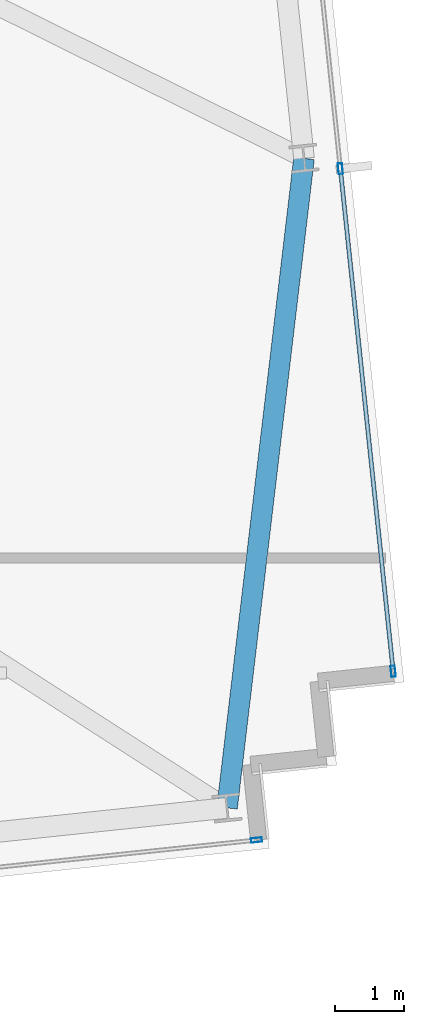
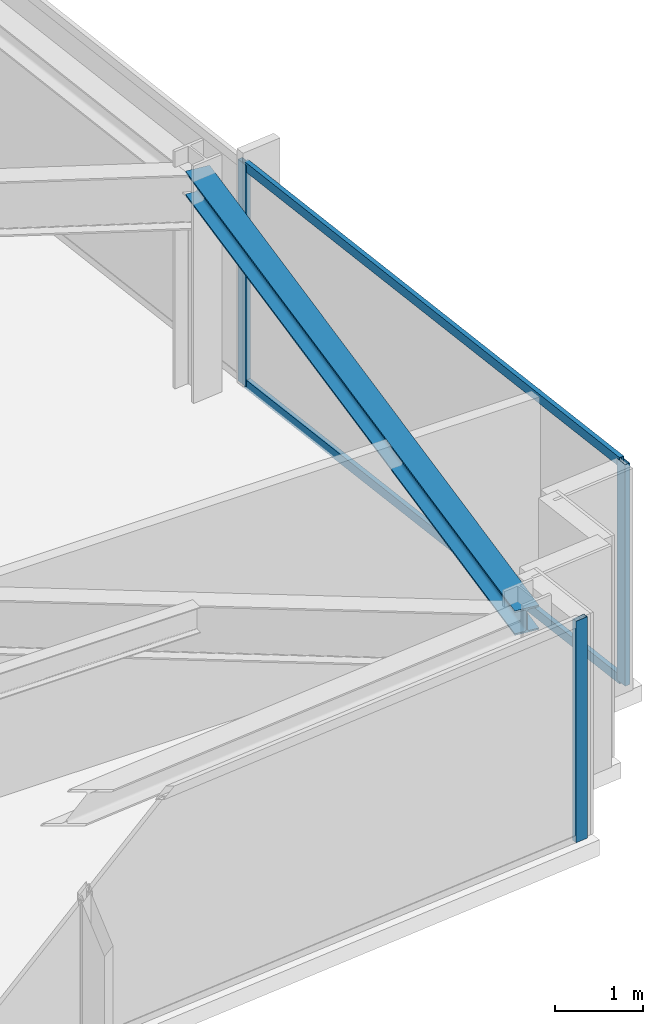
# One storey, part 17 of 33: 5 members, 1 beam, 2 elements without a shape of their own.
"""IFC4 building model written with IfcOpenShell, lengths in metres."""

from ifc_helpers import new_model, si_unit, direction, frame, origin, origin_2d, place, context, subcontext, project, spatial, hollow_rectangle, i_section, extrude, material, material_profile, profile_set, type_object, element, aggregate, save


model = new_model("IFC4")

# Units and contexts
model_context = context("Model", 3, precision=1e-05, world=origin(), true_north=direction((0.0, 1.0)))
body_context = subcontext(model_context, "Body", "Model", "MODEL_VIEW")
ifc_project = project(units=[si_unit("LENGTHUNIT", "METRE"), si_unit("AREAUNIT", "SQUARE_METRE"), si_unit("VOLUMEUNIT", "CUBIC_METRE"), si_unit("PLANEANGLEUNIT", "RADIAN"), si_unit("MASSUNIT", "GRAM", prefix="KILO")], contexts=[model_context])

# Site, building, storey
site_placement = place(None, origin())
site = spatial("IfcSite", under=ifc_project, at=site_placement, CompositionType="ELEMENT")
building_placement = place(site_placement, origin())
building = spatial("IfcBuilding", under=site, at=building_placement, Name="Yelkora Congress Tower", CompositionType="ELEMENT")
storey_placement = place(building_placement, frame((0.0, 0.0, 234.199951171875)))
storey = spatial("IfcBuildingStorey", under=building, at=storey_placement, Name="L65", CompositionType="ELEMENT", Elevation=234.199951171875)

# Beam
ifc_material_1 = material(Name="Steel S355J2", Category="steel")
ifc_material_profile_1 = material_profile(ifc_material_1, i_section(OverallWidth=0.300048828125, OverallDepth=0.340087890625, WebThickness=0.011962890625, FlangeThickness=0.021484375, FilletRadius=0.027099609375, at=origin_2d()), Name="HEB 340")
ifc_profile_set_1 = profile_set([ifc_material_profile_1], Name="Steel S355J2")
beam_type = type_object("IfcBeamType", Name="BM-SPAN-HEB340", PredefinedType="SPANDREL", material=ifc_profile_set_1)
beam_placement = place(storey_placement, frame((69.235107421875, 17.716796875, 2.91015625), z_axis=(0.11765897357, 0.993054059928, 0.0), x_axis=(-0.993054059928, 0.11765897357, 0.0)))
element("IfcBeam", 1, at=beam_placement, inside=storey, type_object=beam_type, Name="L65 Perimeter Beam 9", PredefinedType="SPANDREL", context=body_context, shape_type="SweptSolid", body=[
    extrude(i_section(OverallWidth=0.300048828125, OverallDepth=0.340087890625, WebThickness=0.011962890625, FlangeThickness=0.021484375, FilletRadius=0.027099609375, at=origin_2d()), origin(), (0.0, 0.0, 1.0), 9.509765625),
])

# Curtain wall, members
ifc_material_2 = material(Name="Anodised aluminium and insulated glass", Category="aluminium")
curtain_wall_type = type_object("IfcCurtainWallType", Name="CW-SYS-B4", PredefinedType="NOTDEFINED", material=ifc_material_2)
curtain_wall_1_placement = place(storey_placement, origin())
curtain_wall_1 = element("IfcCurtainWall", 2, at=curtain_wall_1_placement, inside=storey, type_object=curtain_wall_type, Name="L65 Unitised Curtain Wall 15", PredefinedType="NOTDEFINED")
ifc_material_3 = material(Name="Anodised aluminium 6063-T6", Category="aluminium")
ifc_material_profile_2 = material_profile(ifc_material_3, hollow_rectangle(XDim=0.06494140625, YDim=0.159912109375, WallThickness=0.00390625, at=origin_2d()), Name="ALU 65x160x4")
ifc_profile_set_2 = profile_set([ifc_material_profile_2], Name="Anodised aluminium 6063-T6")
member_type_1 = type_object("IfcMemberType", Name="MEM-ML-B4", PredefinedType="MULLION", material=ifc_profile_set_2)
member_1_placement = place(storey_placement, frame((70.882568359375, 27.009765625, 0.0), z_axis=(0.0, 0.0, 1.0), x_axis=(0.994522182968, 0.104525726898, 0.0)))
member_1 = element("IfcMember", 3, at=member_1_placement, type_object=member_type_1, Name="CW-B4 mullion 4", PredefinedType="MULLION", context=body_context, shape_type="SweptSolid", body=[
    extrude(hollow_rectangle(XDim=0.06494140625, YDim=0.159912109375, WallThickness=0.00390625, at=origin_2d()), origin(), (0.0, 0.0, 1.0), 3.080078125),
])
member_2_placement = place(storey_placement, frame((71.650634765625, 19.70263671875, 0.0), z_axis=(0.0, 0.0, 1.0), x_axis=(0.994522182968, 0.104525726898, 0.0)))
member_2 = element("IfcMember", 4, at=member_2_placement, type_object=member_type_1, Name="CW-B4 mullion 5", PredefinedType="MULLION", context=body_context, shape_type="SweptSolid", body=[
    extrude(hollow_rectangle(XDim=0.06494140625, YDim=0.159912109375, WallThickness=0.00390625, at=origin_2d()), origin(), (0.0, 0.0, 1.0), 3.080078125),
])

# Curtain wall, member
curtain_wall_2_placement = place(storey_placement, origin())
curtain_wall_2 = element("IfcCurtainWall", 5, at=curtain_wall_2_placement, inside=storey, type_object=curtain_wall_type, Name="L65 Unitised Curtain Wall 20", PredefinedType="NOTDEFINED")
member_3_placement = place(storey_placement, frame((69.663818359375, 17.2490234375, 0.0), z_axis=(0.0, 0.0, 1.0), x_axis=(0.104526664994, -0.994522084373, 0.0)))
member_3 = element("IfcMember", 6, at=member_3_placement, type_object=member_type_1, Name="CW-B4 mullion 1", PredefinedType="MULLION", context=body_context, shape_type="SweptSolid", body=[
    extrude(hollow_rectangle(XDim=0.06494140625, YDim=0.159912109375, WallThickness=0.00390625, at=origin_2d()), origin(), (0.0, 0.0, 1.0), 3.080078125),
])
aggregate(curtain_wall_2, [member_3])

# Member
ifc_material_profile_3 = material_profile(ifc_material_3, hollow_rectangle(XDim=0.06005859375, YDim=0.1298828125, WallThickness=0.00390625, at=origin_2d()), Name="ALU 60x130x4")
ifc_profile_set_3 = profile_set([ifc_material_profile_3], Name="Anodised aluminium 6063-T6")
member_type_2 = type_object("IfcMemberType", Name="MEM-TR-B4", PredefinedType="USERDEFINED", material=ifc_profile_set_3)
member_4_placement = place(storey_placement, frame((70.885986328125, 26.9775390625, 0.030029296875), z_axis=(0.104527725728, -0.994521972886, 0.0), x_axis=(0.994521972886, 0.104527725728, 0.0)))
member_4 = element("IfcMember", 7, at=member_4_placement, type_object=member_type_2, Name="CW-B4 transom 4.1", ObjectType="TRANSOM", PredefinedType="USERDEFINED", context=body_context, shape_type="SweptSolid", body=[
    extrude(hollow_rectangle(XDim=0.06005859375, YDim=0.1298828125, WallThickness=0.00390625, at=origin_2d()), origin(), (0.0, 0.0, 1.0), 7.282470703125),
])

member_5_placement = place(storey_placement, frame((70.885986328125, 26.9775390625, 3.050048828125), z_axis=(0.104527725728, -0.994521972886, 0.0), x_axis=(0.994521972886, 0.104527725728, 0.0)))
member_5 = element("IfcMember", 8, at=member_5_placement, type_object=member_type_2, Name="CW-B4 transom 4.2", ObjectType="TRANSOM", PredefinedType="USERDEFINED", context=body_context, shape_type="SweptSolid", body=[
    extrude(hollow_rectangle(XDim=0.06005859375, YDim=0.1298828125, WallThickness=0.00390625, at=origin_2d()), origin(), (0.0, 0.0, 1.0), 7.282470703125),
])

aggregate(curtain_wall_1, [member_1, member_2, member_4, member_5])

save(model, "model.ifc")
